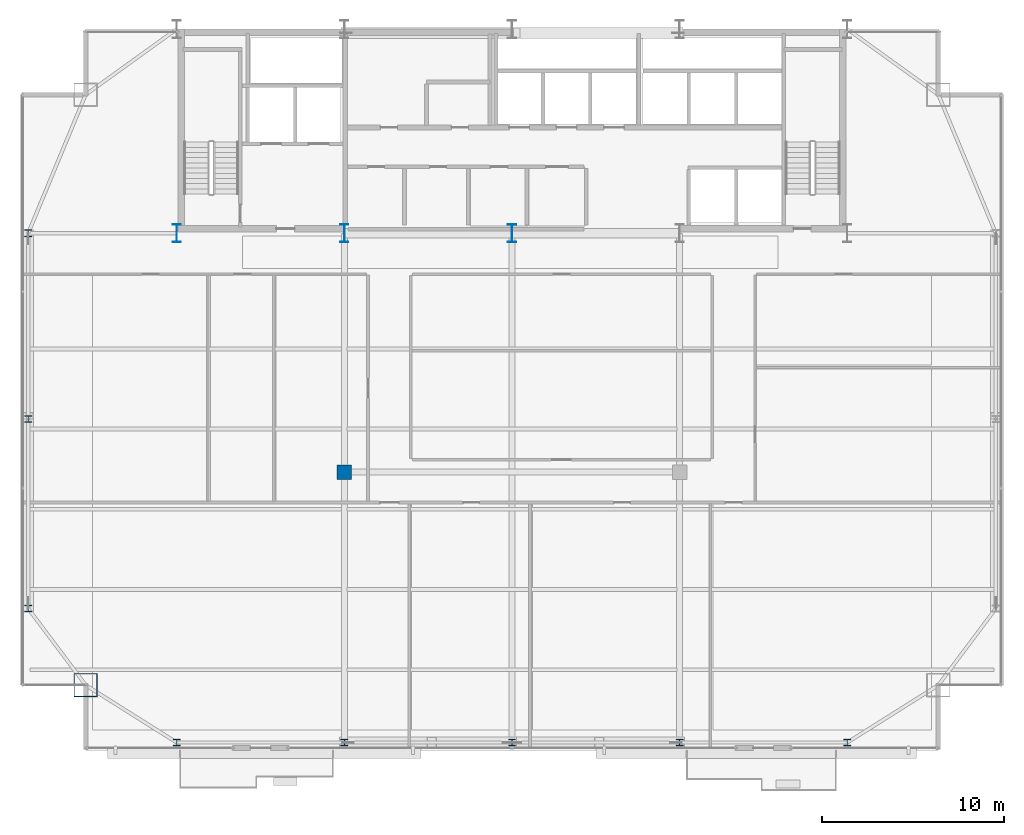
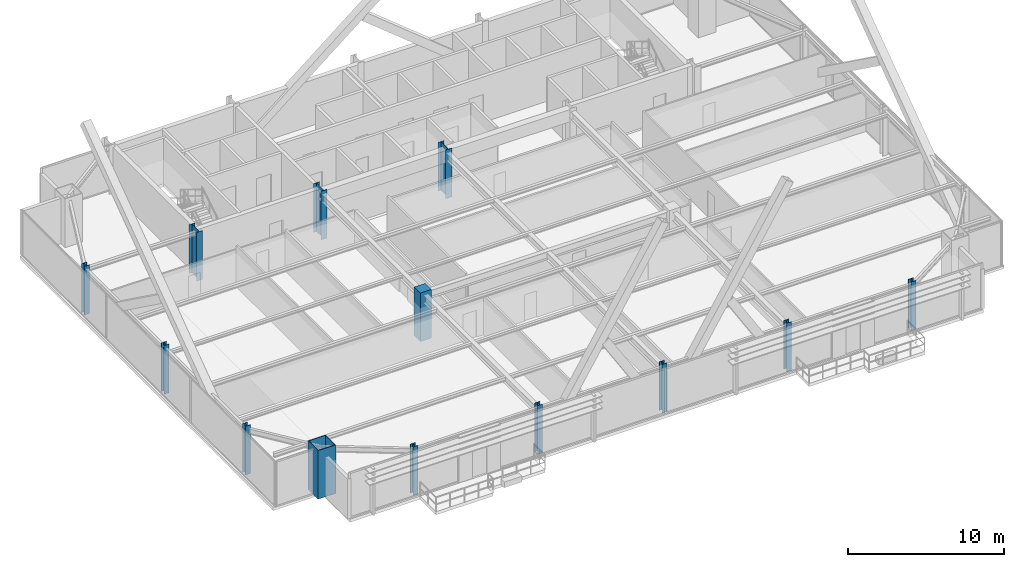
# One storey, part 1 of 34: 13 columns.
"""IFC4 building model written with IfcOpenShell, lengths in metres."""

from ifc_helpers import new_model, si_unit, direction, frame, origin, origin_2d, place, context, subcontext, project, spatial, rectangle, hollow_rectangle, i_section, extrude, source, transform, mapped, material, material_profile, profile_set, type_object, type_shapes, element, save


model = new_model("IFC4")

# Units and contexts
model_context = context("Model", 3, precision=1e-05, world=origin(), true_north=direction((0.0, 1.0)))
body_context = subcontext(model_context, "Body", "Model", "MODEL_VIEW")
ifc_project = project(units=[si_unit("LENGTHUNIT", "METRE"), si_unit("AREAUNIT", "SQUARE_METRE"), si_unit("VOLUMEUNIT", "CUBIC_METRE"), si_unit("PLANEANGLEUNIT", "RADIAN"), si_unit("MASSUNIT", "GRAM", prefix="KILO")], contexts=[model_context])

# Site, building, storey
site_placement = place(None, origin())
site = spatial("IfcSite", under=ifc_project, at=site_placement, CompositionType="ELEMENT")
building_placement = place(site_placement, origin())
building = spatial("IfcBuilding", under=site, at=building_placement, Name="Varnel Quay Broadcast Tower", CompositionType="ELEMENT")
storey_placement = place(building_placement, frame((0.0, 0.0, 176.199951171875)))
storey = spatial("IfcBuildingStorey", under=building, at=storey_placement, Name="L43", CompositionType="ELEMENT", Elevation=176.199951171875)

# Columns
ifc_material_1 = material(Name="Structural Steel CSA G40.21 350WT", Category="steel")
ifc_material_profile_1 = material_profile(ifc_material_1, i_section(OverallWidth=0.449951171875, OverallDepth=1.0, WebThickness=0.01611328125, FlangeThickness=0.030029296875, FilletRadius=0.01611328125, at=origin_2d()), Name="WWF1000X362")
ifc_profile_set_1 = profile_set([ifc_material_profile_1], Name="Structural Steel CSA G40.21 350WT")
column_type_1 = type_object("IfcColumnType", Name="Col_WWF1000X362", PredefinedType="COLUMN", material=ifc_profile_set_1)
shared_shape_1 = source(origin(), body_context, "Body", "SweptSolid", [
    extrude(i_section(OverallWidth=0.449951171875, OverallDepth=1.0, WebThickness=0.01611328125, FlangeThickness=0.030029296875, FilletRadius=0.01611328125, at=origin_2d()), origin(), (0.0, 0.0, 1.0), 3.800048828125),
])
type_shapes(column_type_1, [shared_shape_1])
for number, where, z_axis, x_axis, name in (
    (1, (15.60009765625, 35.60009765625, 0.0), (0.0, 0.0, 1.0), (1.0, 0.0, 0.0), "L43 Column CC-S1"),
    (2, (24.800048828125, 35.60009765625, 0.0), (0.0, 0.0, 1.0), (1.0, 0.0, 0.0), "L43 Column CC-S2"),
    (3, (34.0, 35.60009765625, 0.0), (0.0, 0.0, 1.0), (1.0, 0.0, 0.0), "L43 Column CC-S3"),
):
    element("IfcColumn", number, at=place(storey_placement, frame(where, z_axis=z_axis, x_axis=x_axis)), inside=storey, type_object=column_type_1, Name=name, PredefinedType="COLUMN", context=body_context, shape_type="MappedRepresentation", body=[
        mapped(shared_shape_1, transform((0.0, 0.0, 0.0), x_axis=(1.0, 0.0, 0.0), y_axis=(0.0, 1.0, 0.0), z_axis=(0.0, 0.0, 1.0), scale=1.0)),
    ])
ifc_material_profile_2 = material_profile(ifc_material_1, hollow_rectangle(XDim=1.300048828125, YDim=1.300048828125, WallThickness=0.050048828125, at=origin_2d()), Name="BOX1300X1300X50")
ifc_profile_set_2 = profile_set([ifc_material_profile_2], Name="Structural Steel CSA G40.21 350WT")
column_type_2 = type_object("IfcColumnType", Name="Col_BOX1300X1300X50", PredefinedType="COLUMN", material=ifc_profile_set_2)
shared_shape_2 = source(origin(), body_context, "Body", "SweptSolid", [
    extrude(hollow_rectangle(XDim=1.300048828125, YDim=1.300048828125, WallThickness=0.050048828125, at=origin_2d()), origin(), (0.0, 0.0, 1.0), 3.800048828125),
])
type_shapes(column_type_2, [shared_shape_2])
column_1_placement = place(storey_placement, frame((10.60009765625, 10.800048828125, 0.0), z_axis=(0.0, 0.0, 1.0), x_axis=(1.0, 0.0, 0.0)))
element("IfcColumn", 4, at=column_1_placement, inside=storey, type_object=column_type_2, Name="L43 Column MC-SW", PredefinedType="COLUMN", context=body_context, shape_type="MappedRepresentation", body=[
    mapped(shared_shape_2, transform((0.0, 0.0, 0.0), x_axis=(1.0, 0.0, 0.0), y_axis=(0.0, 1.0, 0.0), z_axis=(0.0, 0.0, 1.0), scale=1.0)),
])
ifc_material_2 = material(Name="Structural Steel CSA G40.21 350W", Category="steel")
ifc_material_profile_3 = material_profile(ifc_material_2, i_section(OverallWidth=0.3740234375, OverallDepth=0.3720703125, WebThickness=0.016357421875, FlangeThickness=0.026123046875, FilletRadius=0.01611328125, at=origin_2d()), Name="W360X196")
ifc_profile_set_3 = profile_set([ifc_material_profile_3], Name="Structural Steel CSA G40.21 350W")
column_type_3 = type_object("IfcColumnType", Name="Col_W360X196", PredefinedType="COLUMN", material=ifc_profile_set_3)
shared_shape_3 = source(origin(), body_context, "Body", "SweptSolid", [
    extrude(i_section(OverallWidth=0.3740234375, OverallDepth=0.3720703125, WebThickness=0.016357421875, FlangeThickness=0.026123046875, FilletRadius=0.01611328125, at=origin_2d()), origin(), (0.0, 0.0, 1.0), 3.800048828125),
])
type_shapes(column_type_3, [shared_shape_3])
for number, where, z_axis, x_axis, name in (
    (5, (15.60009765625, 7.64990234375, 0.0), (0.0, 0.0, 1.0), (1.0, 0.0, 0.0), "L43 Column TC-S1"),
    (6, (24.800048828125, 7.64990234375, 0.0), (0.0, 0.0, 1.0), (1.0, 0.0, 0.0), "L43 Column TC-S2"),
    (7, (34.0, 7.64990234375, 0.0), (0.0, 0.0, 1.0), (1.0, 0.0, 0.0), "L43 Column TC-S3"),
    (8, (43.199951171875, 7.64990234375, 0.0), (0.0, 0.0, 1.0), (1.0, 0.0, 0.0), "L43 Column TC-S4"),
    (9, (52.39990234375, 7.64990234375, 0.0), (0.0, 0.0, 1.0), (1.0, 0.0, 0.0), "L43 Column TC-S5"),
    (10, (7.449951171875, 15.0, 0.0), (0.0, 0.0, 1.0), (1.0, 0.0, 0.0), "L43 Column TC-W1"),
    (11, (7.449951171875, 25.39990234375, 0.0), (0.0, 0.0, 1.0), (1.0, 0.0, 0.0), "L43 Column TC-W2"),
    (12, (7.449951171875, 35.60009765625, 0.0), (0.0, 0.0, 1.0), (1.0, 0.0, 0.0), "L43 Column TC-W3"),
):
    element("IfcColumn", number, at=place(storey_placement, frame(where, z_axis=z_axis, x_axis=x_axis)), inside=storey, type_object=column_type_3, Name=name, PredefinedType="COLUMN", context=body_context, shape_type="MappedRepresentation", body=[
        mapped(shared_shape_3, transform((0.0, 0.0, 0.0), x_axis=(1.0, 0.0, 0.0), y_axis=(0.0, 1.0, 0.0), z_axis=(0.0, 0.0, 1.0), scale=1.0)),
    ])
ifc_material_3 = material(Name="Concrete CSA A23.3 C50/60", Category="concrete")
ifc_material_profile_4 = material_profile(ifc_material_3, rectangle(XDim=0.800048828125, YDim=0.800048828125, at=origin_2d()), Name="RC800X800")
ifc_profile_set_4 = profile_set([ifc_material_profile_4], Name="Concrete CSA A23.3 C50/60")
column_type_4 = type_object("IfcColumnType", Name="Col_RC800X800", PredefinedType="COLUMN", material=ifc_profile_set_4)
shared_shape_4 = source(origin(), body_context, "Body", "SweptSolid", [
    extrude(rectangle(XDim=0.800048828125, YDim=0.800048828125, at=origin_2d()), origin(), (0.0, 0.0, 1.0), 3.800048828125),
])
type_shapes(column_type_4, [shared_shape_4])
column_2_placement = place(storey_placement, frame((24.800048828125, 22.489990234375, 0.0), z_axis=(0.0, 0.0, 1.0), x_axis=(1.0, 0.0, 0.0)))
element("IfcColumn", 13, at=column_2_placement, inside=storey, type_object=column_type_4, Name="L43 Column IC-01", PredefinedType="COLUMN", context=body_context, shape_type="MappedRepresentation", body=[
    mapped(shared_shape_4, transform((0.0, 0.0, 0.0), x_axis=(1.0, 0.0, 0.0), y_axis=(0.0, 1.0, 0.0), z_axis=(0.0, 0.0, 1.0), scale=1.0)),
])

save(model, "model.ifc")
